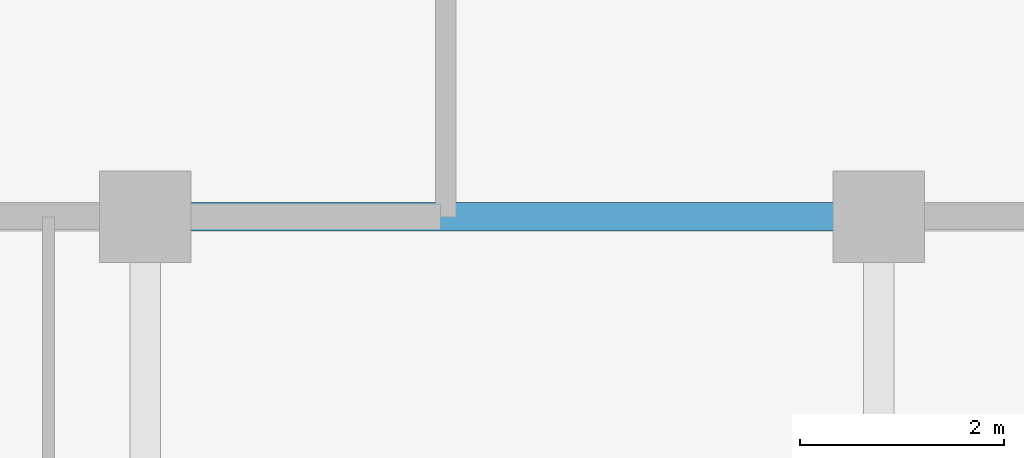
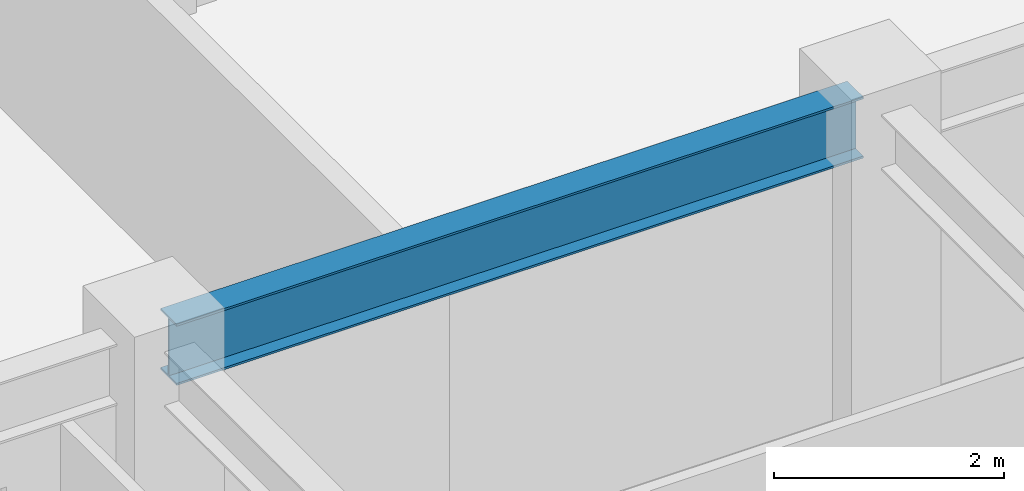
# One storey, part 6 of 24: 1 beam.
"""IFC4 building model written with IfcOpenShell, lengths in metres."""

import ifcopenshell
import ifcopenshell.guid

model = None  # the IFC model being written
_history = None  # IfcOwnerHistory: only IFC2X3 demands one
_inside = {}  # id of a spatial element -> (the spatial element, [elements in it])
_under = {}  # id of a project, library or spatial element -> (it, [spatial elements below it])
_declared = {}  # id of a project -> (the project, [libraries it declares])
_typed = {}  # id of a type object -> (the type object, [elements of that type])
_made_of = {}  # id of a material, layer set ... -> (it, [elements and type objects made of it])


def new_model(schema):
    """Start an empty IFC model of exactly this schema.

    Asked for "IFC4X3", IfcOpenShell would pick the latest addendum, in which some entities
    have other attributes; the version numbers below select the first issue.
    IFC2X3 requires an IfcOwnerHistory on every rooted entity: one is made here for all.
    """
    global model, _history
    if schema == "IFC4X3":
        model = ifcopenshell.file(schema_version=(4, 3, 0, 0))
    else:
        model = ifcopenshell.file(schema=schema)
    _inside.clear()
    _under.clear()
    _declared.clear()
    _typed.clear()
    _made_of.clear()
    _history = None
    if model.schema == "IFC2X3":
        org = make("IfcOrganization", Name="unknown")
        user = make(
            "IfcPersonAndOrganization",
            ThePerson=make("IfcPerson", FamilyName="unknown"),
            TheOrganization=org,
        )
        app = make(
            "IfcApplication",
            ApplicationDeveloper=org,
            Version="unknown",
            ApplicationFullName="unknown",
            ApplicationIdentifier="unknown",
        )
        _history = make(
            "IfcOwnerHistory",
            OwningUser=user,
            OwningApplication=app,
            ChangeAction="ADDED",
            CreationDate=0,
        )
    return model


def make(cls, **values):
    """One entity of the class cls with the attributes given. An attribute that is None is left unset."""
    return model.create_entity(
        cls, **{name: value for name, value in values.items() if value is not None}
    )


def rooted(cls, **values):
    """An entity with a GlobalId (a new one), such as an element, a storey or a relation."""
    return make(cls, GlobalId=ifcopenshell.guid.new(), OwnerHistory=_history, **values)


def si_unit(unit_type, name, prefix=None):
    """IfcSIUnit, for example si_unit("LENGTHUNIT", "METRE", prefix="MILLI")."""
    return make("IfcSIUnit", UnitType=unit_type, Prefix=prefix, Name=name)


def assignment(units):
    """IfcUnitAssignment: the units of a project."""
    return None if units is None else make("IfcUnitAssignment", Units=units)


def point(xyz):
    """IfcCartesianPoint."""
    return None if xyz is None else make("IfcCartesianPoint", Coordinates=xyz)


def direction(xyz):
    """IfcDirection."""
    return None if xyz is None else make("IfcDirection", DirectionRatios=xyz)


def frame(location, z_axis=None, x_axis=None):
    """IfcAxis2Placement3D, a coordinate frame: its origin and axes. An axis left out is left unset."""
    return make(
        "IfcAxis2Placement3D",
        Location=point(location),
        Axis=direction(z_axis),
        RefDirection=direction(x_axis),
    )


def frame_2d(location, x_axis=None):
    """IfcAxis2Placement2D, a coordinate frame in the plane: its origin and x axis."""
    return make(
        "IfcAxis2Placement2D", Location=point(location), RefDirection=direction(x_axis)
    )


def origin():
    """The frame at (0, 0, 0) with its axes left unset."""
    return frame((0.0, 0.0, 0.0))


def origin_2d():
    """The frame at (0, 0) in the plane with its x axis left unset."""
    return frame_2d((0.0, 0.0))


def place(relative_to, where):
    """IfcLocalPlacement: puts the frame where relative to a parent placement (None: the world)."""
    return make(
        "IfcLocalPlacement", PlacementRelTo=relative_to, RelativePlacement=where
    )


def context(
    kind, dimensions, precision=None, world=None, true_north=None, identifier=None
):
    """IfcGeometricRepresentationContext, for example the 3D "Model" context."""
    return make(
        "IfcGeometricRepresentationContext",
        ContextIdentifier=identifier,
        ContextType=kind,
        CoordinateSpaceDimension=dimensions,
        Precision=precision,
        WorldCoordinateSystem=world,
        TrueNorth=true_north,
    )


def subcontext(parent, identifier, kind, view, scale=None):
    """IfcGeometricRepresentationSubContext, for example "Body" below "Model"."""
    return make(
        "IfcGeometricRepresentationSubContext",
        ContextIdentifier=identifier,
        ContextType=kind,
        ParentContext=parent,
        TargetScale=scale,
        TargetView=view,
    )


def project(units=None, contexts=None):
    """IfcProject with its units and contexts."""
    return rooted(
        "IfcProject",
        Name="project",
        RepresentationContexts=contexts,
        UnitsInContext=assignment(units),
    )


def spatial(cls, under=None, at=None, **own):
    """A site, building, storey or space (cls), placed at a placement, below another one or the project."""
    s = rooted(cls, ObjectPlacement=at, **own)
    if under is not None:
        _under.setdefault(under.id(), (under, []))[1].append(s)
    return s


def profile(cls, at=None, kind="AREA", **sizes):
    """A parametric profile (cls). Its sizes go by their IFC names, for example OverallWidth=200.0."""
    return make(cls, ProfileType=kind, Position=at, **sizes)


def i_section(**sizes):
    """IfcIShapeProfileDef."""
    return profile("IfcIShapeProfileDef", **sizes)


def extrude(swept, where, along, depth):
    """IfcExtrudedAreaSolid: the profile swept, set in the frame where, extruded along a direction by depth."""
    return make(
        "IfcExtrudedAreaSolid",
        SweptArea=swept,
        Position=where,
        ExtrudedDirection=direction(along),
        Depth=depth,
    )


def shape(context_of_items, identifier, shape_type, items):
    """IfcShapeRepresentation: the items that make up one representation, for example the "Body"."""
    return make(
        "IfcShapeRepresentation",
        ContextOfItems=context_of_items,
        RepresentationIdentifier=identifier,
        RepresentationType=shape_type,
        Items=items,
    )


def source(mapping_origin, context_of_items, identifier, shape_type, items):
    """IfcRepresentationMap: a shape defined once, which mapped items show again and again."""
    return make(
        "IfcRepresentationMap",
        MappingOrigin=mapping_origin,
        MappedRepresentation=shape(context_of_items, identifier, shape_type, items),
    )


def transform(
    local_origin,
    x_axis=None,
    y_axis=None,
    z_axis=None,
    scale=None,
    scale2=None,
    scale3=None,
    uniform=True,
):
    """IfcCartesianTransformationOperator3D, or its non-uniform kind. x_axis, y_axis, z_axis: its Axis1, 2, 3."""
    if uniform:
        return make(
            "IfcCartesianTransformationOperator3D",
            Axis1=direction(x_axis),
            Axis2=direction(y_axis),
            LocalOrigin=point(local_origin),
            Scale=scale,
            Axis3=direction(z_axis),
        )
    return make(
        "IfcCartesianTransformationOperator3DnonUniform",
        Axis1=direction(x_axis),
        Axis2=direction(y_axis),
        LocalOrigin=point(local_origin),
        Scale=scale,
        Axis3=direction(z_axis),
        Scale2=scale2,
        Scale3=scale3,
    )


def mapped(mapping_source, mapping_target):
    """IfcMappedItem: shows the shape of a source again, moved by a transform."""
    return make(
        "IfcMappedItem", MappingSource=mapping_source, MappingTarget=mapping_target
    )


def material(Name=None, Category=None):
    """IfcMaterial."""
    return make("IfcMaterial", Name=Name, Category=Category)


def material_profile(
    of_material, cross_section, Name=None, Category=None, Priority=None
):
    """IfcMaterialProfile: a cross section and its material."""
    return make(
        "IfcMaterialProfile",
        Name=Name,
        Material=of_material,
        Profile=cross_section,
        Priority=Priority,
        Category=Category,
    )


def profile_set(profiles, Name=None, composite=None):
    """IfcMaterialProfileSet."""
    return make(
        "IfcMaterialProfileSet",
        Name=Name,
        MaterialProfiles=profiles,
        CompositeProfile=composite,
    )


def made_of(thing, what):
    """Note that an element or type object is made of a material, layer set ...; save() writes the relation."""
    if what is not None:
        _made_of.setdefault(what.id(), (what, []))[1].append(thing)
    return thing


def type_object(cls, material=None, **own):
    """A type object (cls), such as IfcWallType, which elements share."""
    return made_of(rooted(cls, **own), material)


def element(
    cls,
    number,
    at=None,
    inside=None,
    cuts=None,
    type_object=None,
    material=None,
    context=None,
    identifier="Body",
    shape_type=None,
    held_by="IfcProductDefinitionShape",
    body=None,
    shapes=None,
    **own,
):
    """One element of the class cls, such as IfcWall. Its Tag is "e" and its number.

    at: its placement. inside: the storey or other place that contains it. cuts: it is an
    opening in that element (IfcRelVoidsElement). A single representation is given by context,
    identifier, shape_type and body (its items); several are given by shapes. held_by: the class
    of the entity that holds the representations. save() writes the other relations.
    """
    e = rooted(cls, Tag="e%d" % number, ObjectPlacement=at, **own)
    if body is not None:
        shapes = [shape(context, identifier, shape_type, body)]
    if shapes is not None:
        e.Representation = make(held_by, Representations=shapes)
    if inside is not None:
        _inside.setdefault(inside.id(), (inside, []))[1].append(e)
    if cuts is not None:
        rooted(
            "IfcRelVoidsElement", RelatingBuildingElement=cuts, RelatedOpeningElement=e
        )
    if type_object is not None:
        _typed.setdefault(type_object.id(), (type_object, []))[1].append(e)
    return made_of(e, material)


def aggregate(whole, parts):
    """IfcRelAggregates: a whole, such as a stair, and the parts it consists of."""
    return rooted("IfcRelAggregates", RelatingObject=whole, RelatedObjects=parts)


def save(model, path):
    """Write the relations noted so far, then the file.

    IfcRelAggregates (storeys below a building ...), IfcRelContainedInSpatialStructure (elements
    in a storey), IfcRelDefinesByType, IfcRelAssociatesMaterial and IfcRelDeclares: one each for
    every whole, place, type object, material and project.
    """
    for whole, parts in _under.values():
        aggregate(whole, parts)
    for where, things in _inside.values():
        rooted(
            "IfcRelContainedInSpatialStructure",
            RelatedElements=things,
            RelatingStructure=where,
        )
    for kind, things in _typed.values():
        rooted("IfcRelDefinesByType", RelatedObjects=things, RelatingType=kind)
    for what, things in _made_of.values():
        rooted("IfcRelAssociatesMaterial", RelatedObjects=things, RelatingMaterial=what)
    for by, libraries in _declared.values():
        rooted("IfcRelDeclares", RelatingContext=by, RelatedDefinitions=libraries)
    model.write(path)


model = new_model("IFC4")

# Units and contexts
model_context = context("Model", 3, precision=1e-05, world=origin(), true_north=direction((0.0, 1.0)))
body_context = subcontext(model_context, "Body", "Model", "MODEL_VIEW")
ifc_project = project(units=[si_unit("LENGTHUNIT", "METRE"), si_unit("AREAUNIT", "SQUARE_METRE"), si_unit("VOLUMEUNIT", "CUBIC_METRE"), si_unit("PLANEANGLEUNIT", "RADIAN"), si_unit("MASSUNIT", "GRAM", prefix="KILO")], contexts=[model_context])

# Site, building, storey
site_placement = place(None, origin())
site = spatial("IfcSite", under=ifc_project, at=site_placement, CompositionType="ELEMENT")
building_placement = place(site_placement, origin())
building = spatial("IfcBuilding", under=site, at=building_placement, Name="Trelvane Seafront Commons", CompositionType="ELEMENT")
storey_placement = place(building_placement, frame((0.0, 0.0, 30.699951171875)))
storey = spatial("IfcBuildingStorey", under=building, at=storey_placement, Name="L07", CompositionType="ELEMENT", Elevation=30.699951171875)

# Beam
ifc_material = material(Name="Steel SM355 (S355)", Category="steel")
ifc_material_profile = material_profile(ifc_material, i_section(OverallWidth=0.280029296875, OverallDepth=0.64990234375, WebThickness=0.012939453125, FlangeThickness=0.02197265625, at=origin_2d()), Name="H-650x280x13x22")
ifc_profile_set = profile_set([ifc_material_profile], Name="Steel SM355 (S355)")
beam_type = type_object("IfcBeamType", Name="STR-BM-H650", PredefinedType="BEAM", material=ifc_profile_set)
shared_shape = source(origin(), body_context, "Body", "SweptSolid", [
    extrude(i_section(OverallWidth=0.280029296875, OverallDepth=0.64990234375, WebThickness=0.012939453125, FlangeThickness=0.02197265625, at=origin_2d()), origin(), (0.0, 0.0, 1.0), 6.89990234375),
])
beam_placement = place(storey_placement, frame((23.550048828125, 33.39990234375, 3.01513671875), z_axis=(1.0, 0.0, 0.0), x_axis=(0.0, 1.0, 0.0)))
element("IfcBeam", 1, at=beam_placement, inside=storey, type_object=beam_type, Name="L07 Primary Girder G-22", PredefinedType="BEAM", context=body_context, shape_type="MappedRepresentation", body=[
    mapped(shared_shape, transform((0.0, 0.0, 0.0), x_axis=(1.0, 0.0, 0.0), y_axis=(0.0, 1.0, 0.0), z_axis=(0.0, 0.0, 1.0), scale=1.0)),
])

save(model, "model.ifc")
